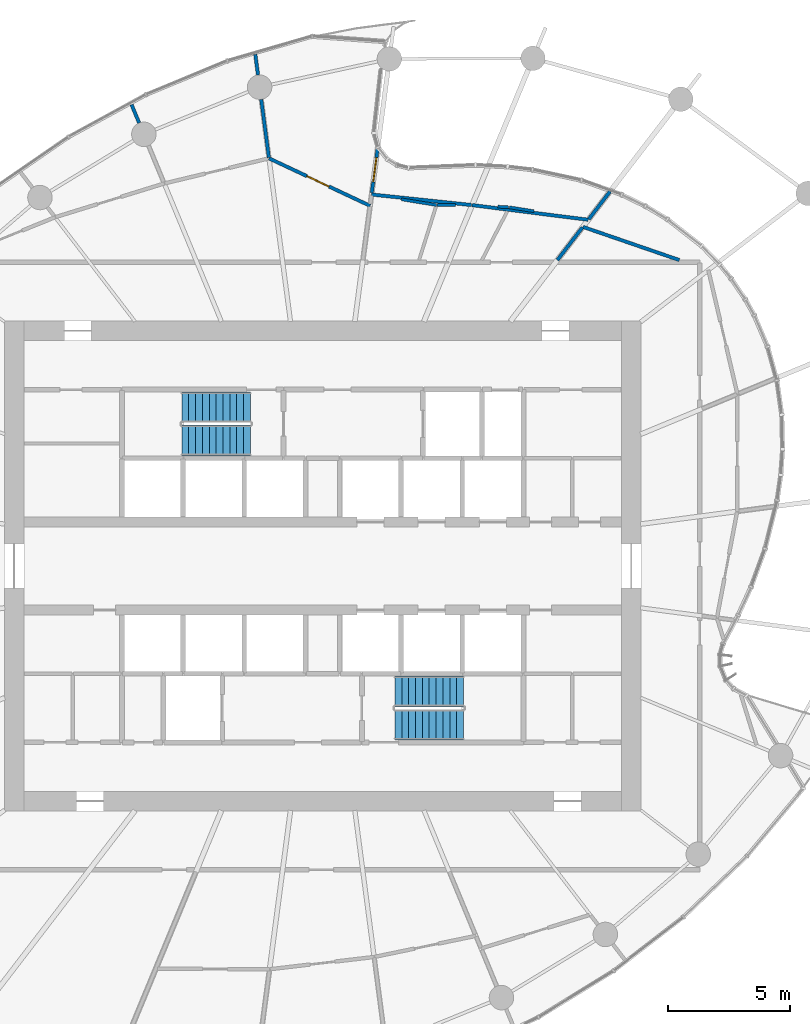
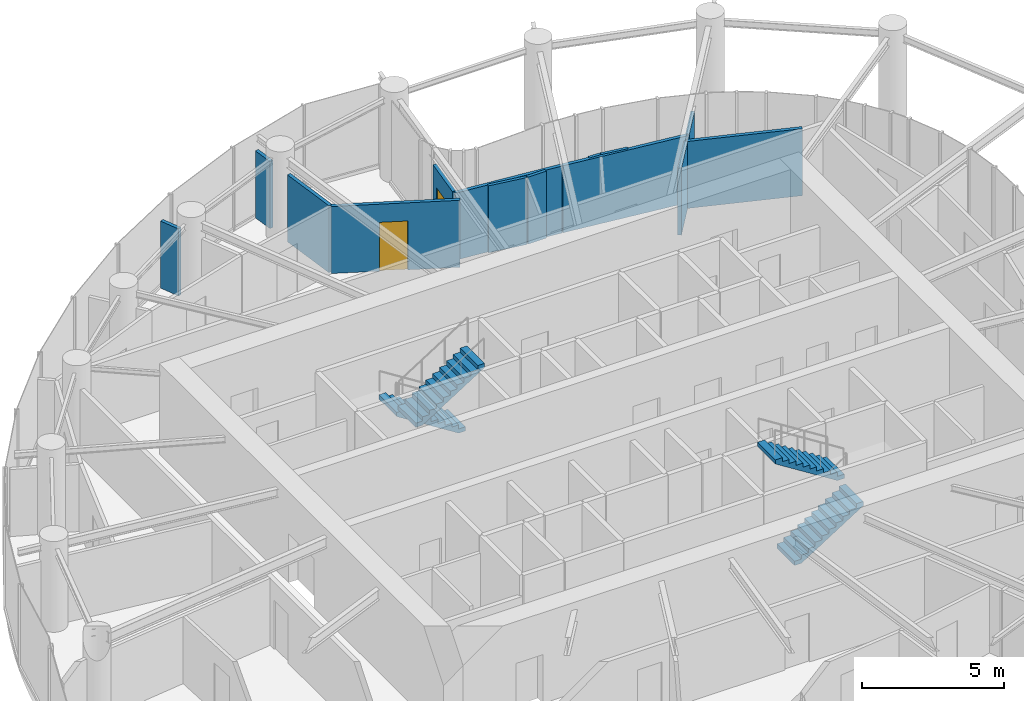
# One storey, part 17 of 19: 14 walls, 4 stair flights, 2 doors, 2 openings, 2 elements without a shape of their own.
"""IFC4 building model written with IfcOpenShell, lengths in metres."""

from ifc_helpers import new_model, si_unit, direction, frame, frame_2d, origin, place, context, subcontext, project, spatial, line, indexed_curve, rectangle, outline, extrude, source, transform, mapped, material, layer, layer_set, type_object, element, fill, aggregate, save


model = new_model("IFC4")

# Units and contexts
model_context = context("Model", 3, precision=1e-05, world=origin(), true_north=direction((0.0, 1.0)))
body_context = subcontext(model_context, "Body", "Model", "MODEL_VIEW")
ifc_project = project(units=[si_unit("LENGTHUNIT", "METRE"), si_unit("AREAUNIT", "SQUARE_METRE"), si_unit("VOLUMEUNIT", "CUBIC_METRE"), si_unit("PLANEANGLEUNIT", "RADIAN"), si_unit("MASSUNIT", "GRAM", prefix="KILO")], contexts=[model_context])

# Site, building, storey
site_placement = place(None, origin())
site = spatial("IfcSite", under=ifc_project, at=site_placement, CompositionType="ELEMENT")
building_placement = place(site_placement, origin())
building = spatial("IfcBuilding", under=site, at=building_placement, Name="Spindrift Exchange Tower", CompositionType="ELEMENT")
storey_placement = place(building_placement, frame((0.0, 0.0, 137.0)))
storey = spatial("IfcBuildingStorey", under=building, at=storey_placement, Name="L32", CompositionType="ELEMENT", Elevation=137.0)

# Wall
ifc_material_1 = material(Name="Fire-rated plasterboard partition", Category="gypsum")
ifc_layer_1 = layer(ifc_material_1, 0.139892578125)
ifc_layer_set_1 = layer_set([ifc_layer_1], Name="W-PART-140")
wall_type_1 = type_object("IfcWallType", Name="W-PART-140", PredefinedType="PARTITIONING", material=ifc_layer_set_1)
wall_1_placement = place(storey_placement, frame((62.8466796875, 62.135986328125, 0.0), z_axis=(0.0, 0.0, 1.0), x_axis=(-0.992110428367, 0.125367052792, 0.0)))
element("IfcWall", 1, at=wall_1_placement, inside=storey, type_object=wall_type_1, Name="L32 Partition wall 74", PredefinedType="PARTITIONING", context=body_context, shape_type="SweptSolid", body=[
    extrude(rectangle(XDim=4.78076171875, YDim=0.139892578125, at=frame_2d((2.390380859375, 0.0))), origin(), (0.0, 0.0, 1.0), 2.8798828125),
])

# Wall, opening, door
wall_2_placement = place(storey_placement, frame((49.80859375, 64.64501953125, 0.0), z_axis=(0.0, 0.0, 1.0), x_axis=(0.905123018759, -0.425149762922, 0.0)))
wall_2 = element("IfcWall", 2, at=wall_2_placement, inside=storey, type_object=wall_type_1, Name="L32 Partition wall 78", PredefinedType="PARTITIONING", context=body_context, shape_type="SweptSolid", body=[
    extrude(rectangle(XDim=4.56005859375, YDim=0.139892578125, at=frame_2d((2.280029296875, 0.0))), origin(), (0.0, 0.0, 1.0), 2.8798828125),
])
opening_1_placement = place(wall_2_placement, frame((1.710205078125, 0.0, 0.0)))
opening_1 = element("IfcOpeningElement", 3, at=opening_1_placement, cuts=wall_2, Name="Opening L32-D29", PredefinedType="OPENING", context=body_context, shape_type="SweptSolid", body=[
    extrude(rectangle(XDim=1.0, YDim=2.10009765625, at=frame_2d((0.5, 1.050048828125))), frame((0.0, 0.079833984375, 0.0), z_axis=(0.0, -1.0, 0.0), x_axis=(1.0, 0.0, 0.0)), (0.0, 0.0, 1.0), 0.159912109375),
])
ifc_material_2 = material(Name="Timber-core fire door", Category="wood")
door_type = type_object("IfcDoorType", Name="DR-ROOM-1000", OperationType="NOTDEFINED", PredefinedType="DOOR", material=ifc_material_2)
shared_shape = source(origin(), body_context, "Body", "SweptSolid", [
    extrude(rectangle(XDim=1.0, YDim=2.10009765625, at=frame_2d((0.5, 1.050048828125))), frame((0.0, 0.02490234375, 0.0), z_axis=(0.0, -1.0, 0.0), x_axis=(1.0, 0.0, 0.0)), (0.0, 0.0, 1.0), 0.050048828125),
])
door_1_placement = place(opening_1_placement, origin())
door_1 = element("IfcDoor", 4, at=door_1_placement, inside=storey, type_object=door_type, Name="L32 Door 29", OperationType="SINGLE_SWING_LEFT", OverallHeight=2.10009765625, OverallWidth=1.0, PredefinedType="DOOR", context=body_context, shape_type="MappedRepresentation", body=[
    mapped(shared_shape, transform((0.0, 0.0, 0.0), scale=1.0)),
])
fill(opening_1, door_1)

# Walls
wall_3_placement = place(storey_placement, frame((66.56689453125, 60.489990234375, 0.0), z_axis=(0.0, 0.0, 1.0), x_axis=(-0.94557008328, 0.325418526834, 0.0)))
element("IfcWall", 5, at=wall_3_placement, inside=storey, type_object=wall_type_1, Name="L32 Partition wall 79", PredefinedType="PARTITIONING", context=body_context, shape_type="SweptSolid", body=[
    extrude(rectangle(XDim=4.1689453125, YDim=0.139892578125, at=frame_2d((2.08447265625, 0.0))), origin(), (0.0, 0.0, 1.0), 2.8798828125),
])
wall_4_placement = place(storey_placement, frame((58.07373046875, 62.738525390625, 0.0), z_axis=(0.0, 0.0, 1.0), x_axis=(-0.994510346773, 0.104638282489, 0.0)))
element("IfcWall", 6, at=wall_4_placement, inside=storey, type_object=wall_type_1, Name="L32 Partition wall 84", PredefinedType="PARTITIONING", context=body_context, shape_type="SweptSolid", body=[
    extrude(rectangle(XDim=4.099365234375, YDim=0.139892578125, at=frame_2d((2.0498046875, 0.0))), origin(), (0.0, 0.0, 1.0), 2.8798828125),
])
wall_5_placement = place(storey_placement, frame((49.8046875, 64.6748046875, 0.0), z_axis=(0.0, 0.0, 1.0), x_axis=(-0.130475590665, 0.991451521881, 0.0)))
element("IfcWall", 7, at=wall_5_placement, inside=storey, type_object=wall_type_1, Name="L32 Partition wall 94", PredefinedType="PARTITIONING", context=body_context, shape_type="SweptSolid", body=[
    extrude(rectangle(XDim=2.39697265625, YDim=0.139892578125, at=frame_2d((1.198486328125, 0.0))), origin(), (0.0, 0.0, 1.0), 2.8798828125),
])

# Wall, opening, door
wall_6_placement = place(storey_placement, frame((54.23974609375, 65.0126953125, 0.0), z_axis=(0.0, 0.0, 1.0), x_axis=(-0.130458038882, -0.991453831548, 0.0)))
wall_6 = element("IfcWall", 8, at=wall_6_placement, inside=storey, type_object=wall_type_1, Name="L32 Partition wall 106", PredefinedType="PARTITIONING", context=body_context, shape_type="SweptSolid", body=[
    extrude(rectangle(XDim=1.791015625, YDim=0.139892578125, at=frame_2d((0.8955078125, 0.0))), origin(), (0.0, 0.0, 1.0), 2.8798828125),
])
opening_2_placement = place(wall_6_placement, frame((0.341064453125, 0.0, 0.0)))
opening_2 = element("IfcOpeningElement", 9, at=opening_2_placement, cuts=wall_6, Name="Opening L32-D33", PredefinedType="OPENING", context=body_context, shape_type="SweptSolid", body=[
    extrude(rectangle(XDim=1.0, YDim=2.10009765625, at=frame_2d((0.5, 1.050048828125))), frame((0.0, 0.079833984375, 0.0), z_axis=(0.0, -1.0, 0.0), x_axis=(1.0, 0.0, 0.0)), (0.0, 0.0, 1.0), 0.159912109375),
])
door_2_placement = place(opening_2_placement, origin())
door_2 = element("IfcDoor", 10, at=door_2_placement, inside=storey, type_object=door_type, Name="L32 Door 33", OperationType="SINGLE_SWING_LEFT", OverallHeight=2.10009765625, OverallWidth=1.0, PredefinedType="DOOR", context=body_context, shape_type="MappedRepresentation", body=[
    mapped(shared_shape, transform((0.0, 0.0, 0.0), scale=1.0)),
])
fill(opening_2, door_2)

# Walls
wall_7_placement = place(storey_placement, frame((62.864990234375, 62.15966796875, 0.0), z_axis=(0.0, 0.0, 1.0), x_axis=(0.608793777292, 0.793328517532, 0.0)))
element("IfcWall", 11, at=wall_7_placement, inside=storey, type_object=wall_type_1, Name="L32 Partition wall 107", PredefinedType="PARTITIONING", context=body_context, shape_type="SweptSolid", body=[
    extrude(rectangle(XDim=1.428955078125, YDim=0.139892578125, at=frame_2d((0.71435546875, 0.0))), origin(), (0.0, 0.0, 1.0), 2.8798828125),
])
wall_8_placement = place(storey_placement, frame((61.583984375, 60.489990234375, 0.0), z_axis=(0.0, 0.0, 1.0), x_axis=(0.608776244605, 0.793341971664, 0.0)))
element("IfcWall", 12, at=wall_8_placement, inside=storey, type_object=wall_type_1, Name="L32 Partition wall 108", PredefinedType="PARTITIONING", context=body_context, shape_type="SweptSolid", body=[
    extrude(rectangle(XDim=1.679931640625, YDim=0.139892578125, at=frame_2d((0.83984375, 0.0))), origin(), (0.0, 0.0, 1.0), 2.8798828125),
])
wall_9_placement = place(storey_placement, frame((49.360107421875, 68.051513671875, 0.0), z_axis=(0.0, 0.0, 1.0), x_axis=(-0.130499323257, 0.99144839837, 0.0)))
element("IfcWall", 13, at=wall_9_placement, inside=storey, type_object=wall_type_1, Name="L32 Partition wall 121", PredefinedType="PARTITIONING", context=body_context, shape_type="SweptSolid", body=[
    extrude(rectangle(XDim=0.845703125, YDim=0.139892578125, at=frame_2d((0.4228515625, 0.0))), origin(), (0.0, 0.0, 1.0), 2.8798828125),
])
wall_10_placement = place(storey_placement, frame((44.505859375, 66.09228515625, 0.0), z_axis=(0.0, 0.0, 1.0), x_axis=(-0.382655293316, 0.923891187585, 0.0)))
element("IfcWall", 14, at=wall_10_placement, inside=storey, type_object=wall_type_1, Name="L32 Partition wall 123", PredefinedType="PARTITIONING", context=body_context, shape_type="SweptSolid", body=[
    extrude(rectangle(XDim=0.80517578125, YDim=0.139892578125, at=frame_2d((0.402587890625, 0.0))), origin(), (0.0, 0.0, 1.0), 2.8798828125),
])
ifc_layer_2 = layer(ifc_material_1, 0.1201171875)
ifc_layer_set_2 = layer_set([ifc_layer_2], Name="W-WET-120")
wall_type_2 = type_object("IfcWallType", Name="W-WET-120", PredefinedType="PARTITIONING", material=ifc_layer_set_2)
wall_11_placement = place(storey_placement, frame((60.630126953125, 62.486572265625, 0.0), z_axis=(0.0, 0.0, 1.0), x_axis=(-0.987714333962, 0.156270261039, 0.0)))
element("IfcWall", 15, at=wall_11_placement, inside=storey, type_object=wall_type_2, Name="L32 Partition wall 134", PredefinedType="PARTITIONING", context=body_context, shape_type="SweptSolid", body=[
    extrude(rectangle(XDim=1.0185546875, YDim=0.1201171875, at=frame_2d((0.50927734375, 0.0))), origin(), (0.0, 0.0, 1.0), 2.8798828125),
])
wall_12_placement = place(storey_placement, frame((56.646484375, 62.736328125, 0.0), z_axis=(0.0, 0.0, 1.0), x_axis=(-0.987012882101, 0.160641123522, 0.0)))
element("IfcWall", 16, at=wall_12_placement, inside=storey, type_object=wall_type_2, Name="L32 Partition wall 135", PredefinedType="PARTITIONING", context=body_context, shape_type="SweptSolid", body=[
    extrude(rectangle(XDim=1.44384765625, YDim=0.1201171875, at=frame_2d((0.721923828125, 0.0))), origin(), (0.0, 0.0, 1.0), 2.8798828125),
])
wall_13_placement = place(storey_placement, frame((59.59423828125, 62.6474609375, 0.0), z_axis=(0.0, 0.0, 1.0), x_axis=(-0.998280036491, 0.058625666248, 0.0)))
element("IfcWall", 17, at=wall_13_placement, inside=storey, type_object=wall_type_2, Name="L32 Partition wall 138", PredefinedType="PARTITIONING", context=body_context, shape_type="SweptSolid", body=[
    extrude(rectangle(XDim=0.445556640625, YDim=0.1201171875, at=frame_2d((0.22265625, 0.0))), origin(), (0.0, 0.0, 1.0), 2.8798828125),
])
wall_14_placement = place(storey_placement, frame((57.43017578125, 62.73583984375, 0.0), z_axis=(0.0, 0.0, 1.0), x_axis=(-0.999999790263, 0.000647668258, 0.0)))
element("IfcWall", 18, at=wall_14_placement, inside=storey, type_object=wall_type_2, Name="L32 Partition wall 139", PredefinedType="PARTITIONING", context=body_context, shape_type="SweptSolid", body=[
    extrude(rectangle(XDim=0.75390625, YDim=0.1201171875, at=frame_2d((0.376953125, 0.0))), origin(), (0.0, 0.0, 1.0), 2.8798828125),
])

# Stair, stair flights
ifc_material_3 = material(Name="Concrete 50 MPa", Category="concrete")
stair_type = type_object("IfcStairType", Name="ST-1250-R177", PredefinedType="HALF_TURN_STAIR", material=ifc_material_3)
stair_1_placement = place(storey_placement, origin())
stair_1 = element("IfcStair", 19, at=stair_1_placement, inside=storey, type_object=stair_type, Name="L32 Exit stair ST1", PredefinedType="HALF_TURN_STAIR")
stair_flight_type = type_object("IfcStairFlightType", Name="STF-1250-R177", PredefinedType="STRAIGHT", material=ifc_material_3)
stair_flight_1_placement = place(storey_placement, frame((49.050048828125, 54.47509765625, 0.0), z_axis=(0.0, 0.0, 1.0), x_axis=(-1.0, 0.0, 0.0)))
stair_flight_1 = element("IfcStairFlight", 20, at=stair_flight_1_placement, type_object=stair_flight_type, Name="ST1 flight 1", NumberOfRisers=11, NumberOfTreads=10, PredefinedType="STRAIGHT", RiserHeight=0.177272727, TreadLength=0.28, context=body_context, shape_type="SweptSolid", body=[
    extrude(outline(indexed_curve([(0.0, 0.0), (0.0, 0.177734375), (0.2802734375, 0.177734375), (0.2802734375, 0.3544921875), (0.5595703125, 0.3544921875), (0.5595703125, 0.5322265625), (0.83984375, 0.5322265625), (0.83984375, 0.708984375), (1.1201171875, 0.708984375), (1.1201171875, 0.88671875), (1.400390625, 0.88671875), (1.400390625, 1.0634765625), (1.6796875, 1.0634765625), (1.6796875, 1.2412109375), (1.9599609375, 1.2412109375), (1.9599609375, 1.41796875), (2.240234375, 1.41796875), (2.240234375, 1.595703125), (2.51953125, 1.595703125), (2.51953125, 1.7724609375), (2.7998046875, 1.7724609375), (2.7998046875, 1.9501953125), (2.7998046875, 1.595703125), (0.2802734375, 0.0)], segments=[line(1, 2, 3, 4, 5, 6, 7, 8, 9, 10, 11, 12, 13, 14, 15, 16, 17, 18, 19, 20, 21, 22, 23, 24, 1)], self_intersect=False)), frame((0.0, 0.625, 0.0), z_axis=(0.0, -1.0, 0.0), x_axis=(1.0, 0.0, 0.0)), (0.0, 0.0, 1.0), 1.25),
])
stair_flight_2_placement = place(storey_placement, frame((46.25, 53.125, 1.949951171875), z_axis=(0.0, 0.0, 1.0), x_axis=(1.0, 0.0, 0.0)))
stair_flight_2 = element("IfcStairFlight", 21, at=stair_flight_2_placement, type_object=stair_flight_type, Name="ST1 flight 2", NumberOfRisers=11, NumberOfTreads=10, PredefinedType="STRAIGHT", RiserHeight=0.177272727, TreadLength=0.28, context=body_context, shape_type="SweptSolid", body=[
    extrude(outline(indexed_curve([(0.0, 0.0), (0.0, 0.177734375), (0.2802734375, 0.177734375), (0.2802734375, 0.3544921875), (0.5595703125, 0.3544921875), (0.5595703125, 0.5322265625), (0.83984375, 0.5322265625), (0.83984375, 0.708984375), (1.1201171875, 0.708984375), (1.1201171875, 0.88671875), (1.400390625, 0.88671875), (1.400390625, 1.0634765625), (1.6796875, 1.0634765625), (1.6796875, 1.2412109375), (1.9599609375, 1.2412109375), (1.9599609375, 1.41796875), (2.240234375, 1.41796875), (2.240234375, 1.595703125), (2.51953125, 1.595703125), (2.51953125, 1.7724609375), (2.7998046875, 1.7724609375), (2.7998046875, 1.9501953125), (2.7998046875, 1.595703125), (0.2802734375, 0.0)], segments=[line(1, 2, 3, 4, 5, 6, 7, 8, 9, 10, 11, 12, 13, 14, 15, 16, 17, 18, 19, 20, 21, 22, 23, 24, 1)], self_intersect=False)), frame((0.0, 0.625, 0.0), z_axis=(0.0, -1.0, 0.0), x_axis=(1.0, 0.0, 0.0)), (0.0, 0.0, 1.0), 1.25),
])
aggregate(stair_1, [stair_flight_1, stair_flight_2])

stair_2_placement = place(storey_placement, origin())
stair_2 = element("IfcStair", 22, at=stair_2_placement, inside=storey, type_object=stair_type, Name="L32 Exit stair ST2", PredefinedType="HALF_TURN_STAIR")
stair_flight_3_placement = place(storey_placement, frame((54.949951171875, 41.52490234375, 0.0), z_axis=(0.0, 0.0, 1.0), x_axis=(1.0, 0.0, 0.0)))
stair_flight_3 = element("IfcStairFlight", 23, at=stair_flight_3_placement, type_object=stair_flight_type, Name="ST2 flight 1", NumberOfRisers=11, NumberOfTreads=10, PredefinedType="STRAIGHT", RiserHeight=0.177272727, TreadLength=0.28, context=body_context, shape_type="SweptSolid", body=[
    extrude(outline(indexed_curve([(0.0, 0.0), (0.0, 0.177734375), (0.2802734375, 0.177734375), (0.2802734375, 0.3544921875), (0.5595703125, 0.3544921875), (0.5595703125, 0.5322265625), (0.83984375, 0.5322265625), (0.83984375, 0.708984375), (1.1201171875, 0.708984375), (1.1201171875, 0.88671875), (1.400390625, 0.88671875), (1.400390625, 1.0634765625), (1.6796875, 1.0634765625), (1.6796875, 1.2412109375), (1.9599609375, 1.2412109375), (1.9599609375, 1.41796875), (2.240234375, 1.41796875), (2.240234375, 1.595703125), (2.51953125, 1.595703125), (2.51953125, 1.7724609375), (2.7998046875, 1.7724609375), (2.7998046875, 1.9501953125), (2.7998046875, 1.595703125), (0.2802734375, 0.0)], segments=[line(1, 2, 3, 4, 5, 6, 7, 8, 9, 10, 11, 12, 13, 14, 15, 16, 17, 18, 19, 20, 21, 22, 23, 24, 1)], self_intersect=False)), frame((0.0, 0.625, 0.0), z_axis=(0.0, -1.0, 0.0), x_axis=(1.0, 0.0, 0.0)), (0.0, 0.0, 1.0), 1.25),
])
stair_flight_4_placement = place(storey_placement, frame((57.75, 42.875, 1.949951171875), z_axis=(0.0, 0.0, 1.0), x_axis=(-1.0, 0.0, 0.0)))
stair_flight_4 = element("IfcStairFlight", 24, at=stair_flight_4_placement, type_object=stair_flight_type, Name="ST2 flight 2", NumberOfRisers=11, NumberOfTreads=10, PredefinedType="STRAIGHT", RiserHeight=0.177272727, TreadLength=0.28, context=body_context, shape_type="SweptSolid", body=[
    extrude(outline(indexed_curve([(0.0, 0.0), (0.0, 0.177734375), (0.2802734375, 0.177734375), (0.2802734375, 0.3544921875), (0.5595703125, 0.3544921875), (0.5595703125, 0.5322265625), (0.83984375, 0.5322265625), (0.83984375, 0.708984375), (1.1201171875, 0.708984375), (1.1201171875, 0.88671875), (1.400390625, 0.88671875), (1.400390625, 1.0634765625), (1.6796875, 1.0634765625), (1.6796875, 1.2412109375), (1.9599609375, 1.2412109375), (1.9599609375, 1.41796875), (2.240234375, 1.41796875), (2.240234375, 1.595703125), (2.51953125, 1.595703125), (2.51953125, 1.7724609375), (2.7998046875, 1.7724609375), (2.7998046875, 1.9501953125), (2.7998046875, 1.595703125), (0.2802734375, 0.0)], segments=[line(1, 2, 3, 4, 5, 6, 7, 8, 9, 10, 11, 12, 13, 14, 15, 16, 17, 18, 19, 20, 21, 22, 23, 24, 1)], self_intersect=False)), frame((0.0, 0.625, 0.0), z_axis=(0.0, -1.0, 0.0), x_axis=(1.0, 0.0, 0.0)), (0.0, 0.0, 1.0), 1.25),
])
aggregate(stair_2, [stair_flight_3, stair_flight_4])

save(model, "model.ifc")
